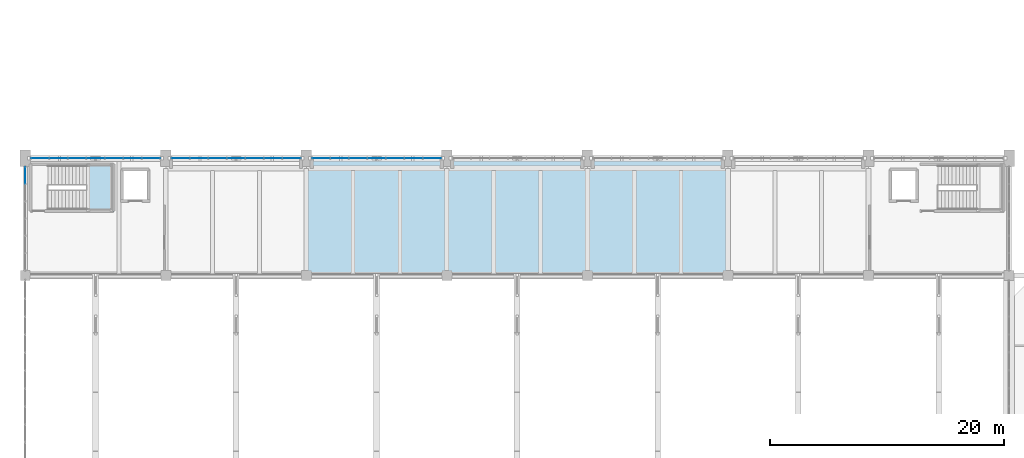
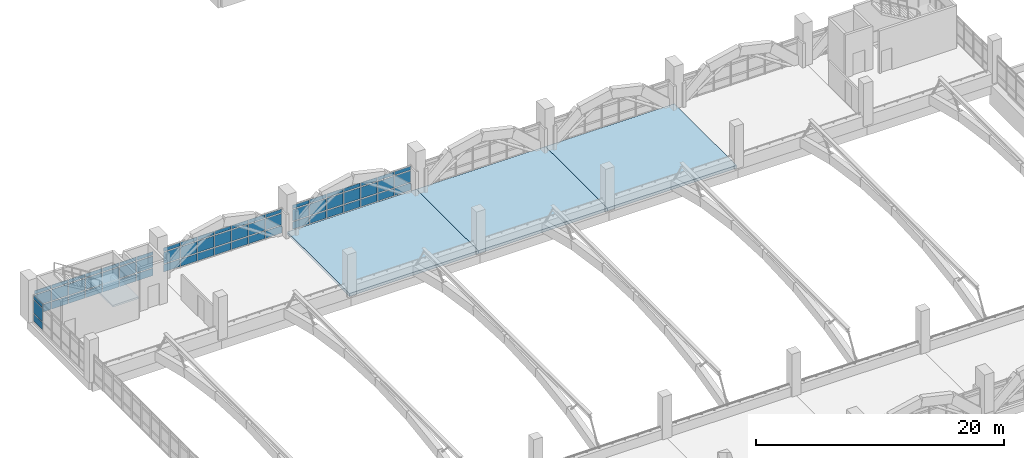
# One storey, part 124 of 161: 66 plates, 4 slabs, 5 elements without a shape of their own.
"""IFC4 building model written with IfcOpenShell, lengths in metres."""

from ifc_helpers import new_model, si_unit, direction, frame, origin, origin_2d, place, context, subcontext, project, spatial, polyline, rectangle, outline, extrude, material, layer, layer_set, type_object, element, aggregate, save


model = new_model("IFC4")

# Units and contexts
model_context = context("Model", 3, precision=1e-05, world=origin(), true_north=direction((0.0, 1.0)))
body_context = subcontext(model_context, "Body", "Model", "MODEL_VIEW")
ifc_project = project(units=[si_unit("LENGTHUNIT", "METRE"), si_unit("AREAUNIT", "SQUARE_METRE"), si_unit("VOLUMEUNIT", "CUBIC_METRE"), si_unit("PLANEANGLEUNIT", "RADIAN"), si_unit("MASSUNIT", "GRAM", prefix="KILO")], contexts=[model_context])

# Site, building, storey
site_placement = place(None, origin())
site = spatial("IfcSite", under=ifc_project, at=site_placement, CompositionType="ELEMENT")
building_placement = place(site_placement, origin())
building = spatial("IfcBuilding", under=site, at=building_placement, Name="Mersad Railyard Sports Hall", CompositionType="ELEMENT")
storey_placement = place(building_placement, frame((0.0, 0.0, 4.800048828125)))
storey = spatial("IfcBuildingStorey", under=building, at=storey_placement, Name="L01", CompositionType="ELEMENT", Elevation=4.800048828125)

# Curtain wall, plates
ifc_material_1 = material(Name="Aluminium 6063-T6", Category="aluminium")
ifc_layer_1 = layer(ifc_material_1, 0.199951171875)
ifc_layer_set_1 = layer_set([ifc_layer_1], Name="Aluminium 6063-T6")
curtain_wall_type_1 = type_object("IfcCurtainWallType", Name="ARC-CW-CW02", PredefinedType="USERDEFINED", material=ifc_layer_set_1)
curtain_wall_1_placement = place(storey_placement, origin())
curtain_wall_1 = element("IfcCurtainWall", 1, at=curtain_wall_1_placement, inside=storey, type_object=curtain_wall_type_1, Name="Curtain wall CW02-0004", ObjectType="CURTAIN WALL", PredefinedType="USERDEFINED")
ifc_material_2 = material(Name="Solar-control glass", Category="glass")
ifc_layer_2 = layer(ifc_material_2, 0.028076171875)
ifc_layer_set_2 = layer_set([ifc_layer_2], Name="Solar-control glass")
plate_type = type_object("IfcPlateType", Name="ARC-CW-PNL01", PredefinedType="CURTAIN_PANEL", material=ifc_layer_set_2)
plate_1_placement = place(storey_placement, frame((8.260009765625, 53.5, 0.0849609375), z_axis=(0.0, 0.0, 1.0), x_axis=(1.0, 0.0, 0.0)))
plate_1 = element("IfcPlate", 2, at=plate_1_placement, type_object=plate_type, Name="CW02 Glazed panel 1-1", PredefinedType="CURTAIN_PANEL", context=body_context, shape_type="SweptSolid", body=[
    extrude(rectangle(XDim=1.535888671875, YDim=0.028076171875, at=origin_2d()), origin(), (0.0, 0.0, 1.0), 0.719970703125),
])
plate_2_placement = place(storey_placement, frame((8.260009765625, 53.5, 0.89501953125), z_axis=(0.0, 0.0, 1.0), x_axis=(1.0, 0.0, 0.0)))
plate_2 = element("IfcPlate", 3, at=plate_2_placement, type_object=plate_type, Name="CW02 Glazed panel 1-2", PredefinedType="CURTAIN_PANEL", context=body_context, shape_type="SweptSolid", body=[
    extrude(rectangle(XDim=1.535888671875, YDim=0.028076171875, at=origin_2d()), origin(), (0.0, 0.0, 1.0), 1.110107421875),
])
plate_3_placement = place(storey_placement, frame((8.260009765625, 53.5, 2.094970703125), z_axis=(0.0, 0.0, 1.0), x_axis=(1.0, 0.0, 0.0)))
plate_3 = element("IfcPlate", 4, at=plate_3_placement, type_object=plate_type, Name="CW02 Glazed panel 1-3", PredefinedType="CURTAIN_PANEL", context=body_context, shape_type="SweptSolid", body=[
    extrude(rectangle(XDim=1.535888671875, YDim=0.028076171875, at=origin_2d()), origin(), (0.0, 0.0, 1.0), 0.35009765625),
])
plate_4_placement = place(storey_placement, frame((9.840087890625, 53.5, 0.0849609375), z_axis=(0.0, 0.0, 1.0), x_axis=(1.0, 0.0, 0.0)))
plate_4 = element("IfcPlate", 5, at=plate_4_placement, type_object=plate_type, Name="CW02 Glazed panel 2-1", PredefinedType="CURTAIN_PANEL", context=body_context, shape_type="SweptSolid", body=[
    extrude(rectangle(XDim=1.535888671875, YDim=0.028076171875, at=origin_2d()), origin(), (0.0, 0.0, 1.0), 0.719970703125),
])
plate_5_placement = place(storey_placement, frame((9.840087890625, 53.5, 0.89501953125), z_axis=(0.0, 0.0, 1.0), x_axis=(1.0, 0.0, 0.0)))
plate_5 = element("IfcPlate", 6, at=plate_5_placement, type_object=plate_type, Name="CW02 Glazed panel 2-2", PredefinedType="CURTAIN_PANEL", context=body_context, shape_type="SweptSolid", body=[
    extrude(rectangle(XDim=1.535888671875, YDim=0.028076171875, at=origin_2d()), origin(), (0.0, 0.0, 1.0), 1.110107421875),
])
plate_6_placement = place(storey_placement, frame((9.840087890625, 53.5, 2.094970703125), z_axis=(0.0, 0.0, 1.0), x_axis=(1.0, 0.0, 0.0)))
plate_6 = element("IfcPlate", 7, at=plate_6_placement, type_object=plate_type, Name="CW02 Glazed panel 2-3", PredefinedType="CURTAIN_PANEL", context=body_context, shape_type="SweptSolid", body=[
    extrude(rectangle(XDim=1.535888671875, YDim=0.028076171875, at=origin_2d()), origin(), (0.0, 0.0, 1.0), 0.35009765625),
])
plate_7_placement = place(storey_placement, frame((11.419921875, 53.5, 0.0849609375), z_axis=(0.0, 0.0, 1.0), x_axis=(1.0, 0.0, 0.0)))
plate_7 = element("IfcPlate", 8, at=plate_7_placement, type_object=plate_type, Name="CW02 Glazed panel 3-1", PredefinedType="CURTAIN_PANEL", context=body_context, shape_type="SweptSolid", body=[
    extrude(rectangle(XDim=1.535888671875, YDim=0.028076171875, at=origin_2d()), origin(), (0.0, 0.0, 1.0), 0.719970703125),
])
plate_8_placement = place(storey_placement, frame((11.419921875, 53.5, 0.89501953125), z_axis=(0.0, 0.0, 1.0), x_axis=(1.0, 0.0, 0.0)))
plate_8 = element("IfcPlate", 9, at=plate_8_placement, type_object=plate_type, Name="CW02 Glazed panel 3-2", PredefinedType="CURTAIN_PANEL", context=body_context, shape_type="SweptSolid", body=[
    extrude(rectangle(XDim=1.535888671875, YDim=0.028076171875, at=origin_2d()), origin(), (0.0, 0.0, 1.0), 1.110107421875),
])
plate_9_placement = place(storey_placement, frame((11.419921875, 53.5, 2.094970703125), z_axis=(0.0, 0.0, 1.0), x_axis=(1.0, 0.0, 0.0)))
plate_9 = element("IfcPlate", 10, at=plate_9_placement, type_object=plate_type, Name="CW02 Glazed panel 3-3", PredefinedType="CURTAIN_PANEL", context=body_context, shape_type="SweptSolid", body=[
    extrude(rectangle(XDim=1.535888671875, YDim=0.028076171875, at=origin_2d()), origin(), (0.0, 0.0, 1.0), 0.35009765625),
])
plate_10_placement = place(storey_placement, frame((13.0, 53.5, 0.0849609375), z_axis=(0.0, 0.0, 1.0), x_axis=(1.0, 0.0, 0.0)))
plate_10 = element("IfcPlate", 11, at=plate_10_placement, type_object=plate_type, Name="CW02 Glazed panel 4-1", PredefinedType="CURTAIN_PANEL", context=body_context, shape_type="SweptSolid", body=[
    extrude(rectangle(XDim=1.535888671875, YDim=0.028076171875, at=origin_2d()), origin(), (0.0, 0.0, 1.0), 0.719970703125),
])
plate_11_placement = place(storey_placement, frame((13.0, 53.5, 0.89501953125), z_axis=(0.0, 0.0, 1.0), x_axis=(1.0, 0.0, 0.0)))
plate_11 = element("IfcPlate", 12, at=plate_11_placement, type_object=plate_type, Name="CW02 Glazed panel 4-2", PredefinedType="CURTAIN_PANEL", context=body_context, shape_type="SweptSolid", body=[
    extrude(rectangle(XDim=1.535888671875, YDim=0.028076171875, at=origin_2d()), origin(), (0.0, 0.0, 1.0), 1.110107421875),
])
plate_12_placement = place(storey_placement, frame((13.0, 53.5, 2.094970703125), z_axis=(0.0, 0.0, 1.0), x_axis=(1.0, 0.0, 0.0)))
plate_12 = element("IfcPlate", 13, at=plate_12_placement, type_object=plate_type, Name="CW02 Glazed panel 4-3", PredefinedType="CURTAIN_PANEL", context=body_context, shape_type="SweptSolid", body=[
    extrude(rectangle(XDim=1.535888671875, YDim=0.028076171875, at=origin_2d()), origin(), (0.0, 0.0, 1.0), 0.35009765625),
])
plate_13_placement = place(storey_placement, frame((14.580078125, 53.5, 0.0849609375), z_axis=(0.0, 0.0, 1.0), x_axis=(1.0, 0.0, 0.0)))
plate_13 = element("IfcPlate", 14, at=plate_13_placement, type_object=plate_type, Name="CW02 Glazed panel 5-1", PredefinedType="CURTAIN_PANEL", context=body_context, shape_type="SweptSolid", body=[
    extrude(rectangle(XDim=1.535888671875, YDim=0.028076171875, at=origin_2d()), origin(), (0.0, 0.0, 1.0), 0.719970703125),
])
plate_14_placement = place(storey_placement, frame((14.580078125, 53.5, 0.89501953125), z_axis=(0.0, 0.0, 1.0), x_axis=(1.0, 0.0, 0.0)))
plate_14 = element("IfcPlate", 15, at=plate_14_placement, type_object=plate_type, Name="CW02 Glazed panel 5-2", PredefinedType="CURTAIN_PANEL", context=body_context, shape_type="SweptSolid", body=[
    extrude(rectangle(XDim=1.535888671875, YDim=0.028076171875, at=origin_2d()), origin(), (0.0, 0.0, 1.0), 1.110107421875),
])
plate_15_placement = place(storey_placement, frame((14.580078125, 53.5, 2.094970703125), z_axis=(0.0, 0.0, 1.0), x_axis=(1.0, 0.0, 0.0)))
plate_15 = element("IfcPlate", 16, at=plate_15_placement, type_object=plate_type, Name="CW02 Glazed panel 5-3", PredefinedType="CURTAIN_PANEL", context=body_context, shape_type="SweptSolid", body=[
    extrude(rectangle(XDim=1.535888671875, YDim=0.028076171875, at=origin_2d()), origin(), (0.0, 0.0, 1.0), 0.35009765625),
])
plate_16_placement = place(storey_placement, frame((16.159912109375, 53.5, 0.0849609375), z_axis=(0.0, 0.0, 1.0), x_axis=(1.0, 0.0, 0.0)))
plate_16 = element("IfcPlate", 17, at=plate_16_placement, type_object=plate_type, Name="CW02 Glazed panel 6-1", PredefinedType="CURTAIN_PANEL", context=body_context, shape_type="SweptSolid", body=[
    extrude(rectangle(XDim=1.535888671875, YDim=0.028076171875, at=origin_2d()), origin(), (0.0, 0.0, 1.0), 0.719970703125),
])
plate_17_placement = place(storey_placement, frame((16.159912109375, 53.5, 0.89501953125), z_axis=(0.0, 0.0, 1.0), x_axis=(1.0, 0.0, 0.0)))
plate_17 = element("IfcPlate", 18, at=plate_17_placement, type_object=plate_type, Name="CW02 Glazed panel 6-2", PredefinedType="CURTAIN_PANEL", context=body_context, shape_type="SweptSolid", body=[
    extrude(rectangle(XDim=1.535888671875, YDim=0.028076171875, at=origin_2d()), origin(), (0.0, 0.0, 1.0), 1.110107421875),
])
plate_18_placement = place(storey_placement, frame((16.159912109375, 53.5, 2.094970703125), z_axis=(0.0, 0.0, 1.0), x_axis=(1.0, 0.0, 0.0)))
plate_18 = element("IfcPlate", 19, at=plate_18_placement, type_object=plate_type, Name="CW02 Glazed panel 6-3", PredefinedType="CURTAIN_PANEL", context=body_context, shape_type="SweptSolid", body=[
    extrude(rectangle(XDim=1.535888671875, YDim=0.028076171875, at=origin_2d()), origin(), (0.0, 0.0, 1.0), 0.35009765625),
])
plate_19_placement = place(storey_placement, frame((17.739990234375, 53.5, 0.0849609375), z_axis=(0.0, 0.0, 1.0), x_axis=(1.0, 0.0, 0.0)))
plate_19 = element("IfcPlate", 20, at=plate_19_placement, type_object=plate_type, Name="CW02 Glazed panel 7-1", PredefinedType="CURTAIN_PANEL", context=body_context, shape_type="SweptSolid", body=[
    extrude(rectangle(XDim=1.535888671875, YDim=0.028076171875, at=origin_2d()), origin(), (0.0, 0.0, 1.0), 0.719970703125),
])
plate_20_placement = place(storey_placement, frame((17.739990234375, 53.5, 0.89501953125), z_axis=(0.0, 0.0, 1.0), x_axis=(1.0, 0.0, 0.0)))
plate_20 = element("IfcPlate", 21, at=plate_20_placement, type_object=plate_type, Name="CW02 Glazed panel 7-2", PredefinedType="CURTAIN_PANEL", context=body_context, shape_type="SweptSolid", body=[
    extrude(rectangle(XDim=1.535888671875, YDim=0.028076171875, at=origin_2d()), origin(), (0.0, 0.0, 1.0), 1.110107421875),
])
plate_21_placement = place(storey_placement, frame((17.739990234375, 53.5, 2.094970703125), z_axis=(0.0, 0.0, 1.0), x_axis=(1.0, 0.0, 0.0)))
plate_21 = element("IfcPlate", 22, at=plate_21_placement, type_object=plate_type, Name="CW02 Glazed panel 7-3", PredefinedType="CURTAIN_PANEL", context=body_context, shape_type="SweptSolid", body=[
    extrude(rectangle(XDim=1.535888671875, YDim=0.028076171875, at=origin_2d()), origin(), (0.0, 0.0, 1.0), 0.35009765625),
])
aggregate(curtain_wall_1, [plate_1, plate_2, plate_3, plate_4, plate_5, plate_6, plate_7, plate_8, plate_9, plate_10, plate_11, plate_12, plate_13, plate_14, plate_15, plate_16, plate_17, plate_18, plate_19, plate_20, plate_21])

curtain_wall_2_placement = place(storey_placement, origin())
curtain_wall_2 = element("IfcCurtainWall", 23, at=curtain_wall_2_placement, inside=storey, type_object=curtain_wall_type_1, Name="Curtain wall CW02-0006", ObjectType="CURTAIN WALL", PredefinedType="USERDEFINED")
plate_22_placement = place(storey_placement, frame((20.260009765625, 53.5, 0.0849609375), z_axis=(0.0, 0.0, 1.0), x_axis=(1.0, 0.0, 0.0)))
plate_22 = element("IfcPlate", 24, at=plate_22_placement, type_object=plate_type, Name="CW02 Glazed panel 1-1", PredefinedType="CURTAIN_PANEL", context=body_context, shape_type="SweptSolid", body=[
    extrude(rectangle(XDim=1.535888671875, YDim=0.028076171875, at=origin_2d()), origin(), (0.0, 0.0, 1.0), 0.719970703125),
])
plate_23_placement = place(storey_placement, frame((20.260009765625, 53.5, 0.89501953125), z_axis=(0.0, 0.0, 1.0), x_axis=(1.0, 0.0, 0.0)))
plate_23 = element("IfcPlate", 25, at=plate_23_placement, type_object=plate_type, Name="CW02 Glazed panel 1-2", PredefinedType="CURTAIN_PANEL", context=body_context, shape_type="SweptSolid", body=[
    extrude(rectangle(XDim=1.535888671875, YDim=0.028076171875, at=origin_2d()), origin(), (0.0, 0.0, 1.0), 1.110107421875),
])
plate_24_placement = place(storey_placement, frame((20.260009765625, 53.5, 2.094970703125), z_axis=(0.0, 0.0, 1.0), x_axis=(1.0, 0.0, 0.0)))
plate_24 = element("IfcPlate", 26, at=plate_24_placement, type_object=plate_type, Name="CW02 Glazed panel 1-3", PredefinedType="CURTAIN_PANEL", context=body_context, shape_type="SweptSolid", body=[
    extrude(rectangle(XDim=1.535888671875, YDim=0.028076171875, at=origin_2d()), origin(), (0.0, 0.0, 1.0), 0.35009765625),
])
plate_25_placement = place(storey_placement, frame((21.840087890625, 53.5, 0.0849609375), z_axis=(0.0, 0.0, 1.0), x_axis=(1.0, 0.0, 0.0)))
plate_25 = element("IfcPlate", 27, at=plate_25_placement, type_object=plate_type, Name="CW02 Glazed panel 2-1", PredefinedType="CURTAIN_PANEL", context=body_context, shape_type="SweptSolid", body=[
    extrude(rectangle(XDim=1.535888671875, YDim=0.028076171875, at=origin_2d()), origin(), (0.0, 0.0, 1.0), 0.719970703125),
])
plate_26_placement = place(storey_placement, frame((21.840087890625, 53.5, 0.89501953125), z_axis=(0.0, 0.0, 1.0), x_axis=(1.0, 0.0, 0.0)))
plate_26 = element("IfcPlate", 28, at=plate_26_placement, type_object=plate_type, Name="CW02 Glazed panel 2-2", PredefinedType="CURTAIN_PANEL", context=body_context, shape_type="SweptSolid", body=[
    extrude(rectangle(XDim=1.535888671875, YDim=0.028076171875, at=origin_2d()), origin(), (0.0, 0.0, 1.0), 1.110107421875),
])
plate_27_placement = place(storey_placement, frame((21.840087890625, 53.5, 2.094970703125), z_axis=(0.0, 0.0, 1.0), x_axis=(1.0, 0.0, 0.0)))
plate_27 = element("IfcPlate", 29, at=plate_27_placement, type_object=plate_type, Name="CW02 Glazed panel 2-3", PredefinedType="CURTAIN_PANEL", context=body_context, shape_type="SweptSolid", body=[
    extrude(rectangle(XDim=1.535888671875, YDim=0.028076171875, at=origin_2d()), origin(), (0.0, 0.0, 1.0), 0.35009765625),
])
plate_28_placement = place(storey_placement, frame((23.419921875, 53.5, 0.0849609375), z_axis=(0.0, 0.0, 1.0), x_axis=(1.0, 0.0, 0.0)))
plate_28 = element("IfcPlate", 30, at=plate_28_placement, type_object=plate_type, Name="CW02 Glazed panel 3-1", PredefinedType="CURTAIN_PANEL", context=body_context, shape_type="SweptSolid", body=[
    extrude(rectangle(XDim=1.535888671875, YDim=0.028076171875, at=origin_2d()), origin(), (0.0, 0.0, 1.0), 0.719970703125),
])
plate_29_placement = place(storey_placement, frame((23.419921875, 53.5, 0.89501953125), z_axis=(0.0, 0.0, 1.0), x_axis=(1.0, 0.0, 0.0)))
plate_29 = element("IfcPlate", 31, at=plate_29_placement, type_object=plate_type, Name="CW02 Glazed panel 3-2", PredefinedType="CURTAIN_PANEL", context=body_context, shape_type="SweptSolid", body=[
    extrude(rectangle(XDim=1.535888671875, YDim=0.028076171875, at=origin_2d()), origin(), (0.0, 0.0, 1.0), 1.110107421875),
])
plate_30_placement = place(storey_placement, frame((23.419921875, 53.5, 2.094970703125), z_axis=(0.0, 0.0, 1.0), x_axis=(1.0, 0.0, 0.0)))
plate_30 = element("IfcPlate", 32, at=plate_30_placement, type_object=plate_type, Name="CW02 Glazed panel 3-3", PredefinedType="CURTAIN_PANEL", context=body_context, shape_type="SweptSolid", body=[
    extrude(rectangle(XDim=1.535888671875, YDim=0.028076171875, at=origin_2d()), origin(), (0.0, 0.0, 1.0), 0.35009765625),
])
plate_31_placement = place(storey_placement, frame((25.0, 53.5, 0.0849609375), z_axis=(0.0, 0.0, 1.0), x_axis=(1.0, 0.0, 0.0)))
plate_31 = element("IfcPlate", 33, at=plate_31_placement, type_object=plate_type, Name="CW02 Glazed panel 4-1", PredefinedType="CURTAIN_PANEL", context=body_context, shape_type="SweptSolid", body=[
    extrude(rectangle(XDim=1.535888671875, YDim=0.028076171875, at=origin_2d()), origin(), (0.0, 0.0, 1.0), 0.719970703125),
])
plate_32_placement = place(storey_placement, frame((25.0, 53.5, 0.89501953125), z_axis=(0.0, 0.0, 1.0), x_axis=(1.0, 0.0, 0.0)))
plate_32 = element("IfcPlate", 34, at=plate_32_placement, type_object=plate_type, Name="CW02 Glazed panel 4-2", PredefinedType="CURTAIN_PANEL", context=body_context, shape_type="SweptSolid", body=[
    extrude(rectangle(XDim=1.535888671875, YDim=0.028076171875, at=origin_2d()), origin(), (0.0, 0.0, 1.0), 1.110107421875),
])
plate_33_placement = place(storey_placement, frame((25.0, 53.5, 2.094970703125), z_axis=(0.0, 0.0, 1.0), x_axis=(1.0, 0.0, 0.0)))
plate_33 = element("IfcPlate", 35, at=plate_33_placement, type_object=plate_type, Name="CW02 Glazed panel 4-3", PredefinedType="CURTAIN_PANEL", context=body_context, shape_type="SweptSolid", body=[
    extrude(rectangle(XDim=1.535888671875, YDim=0.028076171875, at=origin_2d()), origin(), (0.0, 0.0, 1.0), 0.35009765625),
])
plate_34_placement = place(storey_placement, frame((26.580078125, 53.5, 0.0849609375), z_axis=(0.0, 0.0, 1.0), x_axis=(1.0, 0.0, 0.0)))
plate_34 = element("IfcPlate", 36, at=plate_34_placement, type_object=plate_type, Name="CW02 Glazed panel 5-1", PredefinedType="CURTAIN_PANEL", context=body_context, shape_type="SweptSolid", body=[
    extrude(rectangle(XDim=1.535888671875, YDim=0.028076171875, at=origin_2d()), origin(), (0.0, 0.0, 1.0), 0.719970703125),
])
plate_35_placement = place(storey_placement, frame((26.580078125, 53.5, 0.89501953125), z_axis=(0.0, 0.0, 1.0), x_axis=(1.0, 0.0, 0.0)))
plate_35 = element("IfcPlate", 37, at=plate_35_placement, type_object=plate_type, Name="CW02 Glazed panel 5-2", PredefinedType="CURTAIN_PANEL", context=body_context, shape_type="SweptSolid", body=[
    extrude(rectangle(XDim=1.535888671875, YDim=0.028076171875, at=origin_2d()), origin(), (0.0, 0.0, 1.0), 1.110107421875),
])
plate_36_placement = place(storey_placement, frame((26.580078125, 53.5, 2.094970703125), z_axis=(0.0, 0.0, 1.0), x_axis=(1.0, 0.0, 0.0)))
plate_36 = element("IfcPlate", 38, at=plate_36_placement, type_object=plate_type, Name="CW02 Glazed panel 5-3", PredefinedType="CURTAIN_PANEL", context=body_context, shape_type="SweptSolid", body=[
    extrude(rectangle(XDim=1.535888671875, YDim=0.028076171875, at=origin_2d()), origin(), (0.0, 0.0, 1.0), 0.35009765625),
])
plate_37_placement = place(storey_placement, frame((28.159912109375, 53.5, 0.0849609375), z_axis=(0.0, 0.0, 1.0), x_axis=(1.0, 0.0, 0.0)))
plate_37 = element("IfcPlate", 39, at=plate_37_placement, type_object=plate_type, Name="CW02 Glazed panel 6-1", PredefinedType="CURTAIN_PANEL", context=body_context, shape_type="SweptSolid", body=[
    extrude(rectangle(XDim=1.535888671875, YDim=0.028076171875, at=origin_2d()), origin(), (0.0, 0.0, 1.0), 0.719970703125),
])
plate_38_placement = place(storey_placement, frame((28.159912109375, 53.5, 0.89501953125), z_axis=(0.0, 0.0, 1.0), x_axis=(1.0, 0.0, 0.0)))
plate_38 = element("IfcPlate", 40, at=plate_38_placement, type_object=plate_type, Name="CW02 Glazed panel 6-2", PredefinedType="CURTAIN_PANEL", context=body_context, shape_type="SweptSolid", body=[
    extrude(rectangle(XDim=1.535888671875, YDim=0.028076171875, at=origin_2d()), origin(), (0.0, 0.0, 1.0), 1.110107421875),
])
plate_39_placement = place(storey_placement, frame((28.159912109375, 53.5, 2.094970703125), z_axis=(0.0, 0.0, 1.0), x_axis=(1.0, 0.0, 0.0)))
plate_39 = element("IfcPlate", 41, at=plate_39_placement, type_object=plate_type, Name="CW02 Glazed panel 6-3", PredefinedType="CURTAIN_PANEL", context=body_context, shape_type="SweptSolid", body=[
    extrude(rectangle(XDim=1.535888671875, YDim=0.028076171875, at=origin_2d()), origin(), (0.0, 0.0, 1.0), 0.35009765625),
])
plate_40_placement = place(storey_placement, frame((29.739990234375, 53.5, 0.0849609375), z_axis=(0.0, 0.0, 1.0), x_axis=(1.0, 0.0, 0.0)))
plate_40 = element("IfcPlate", 42, at=plate_40_placement, type_object=plate_type, Name="CW02 Glazed panel 7-1", PredefinedType="CURTAIN_PANEL", context=body_context, shape_type="SweptSolid", body=[
    extrude(rectangle(XDim=1.535888671875, YDim=0.028076171875, at=origin_2d()), origin(), (0.0, 0.0, 1.0), 0.719970703125),
])
plate_41_placement = place(storey_placement, frame((29.739990234375, 53.5, 0.89501953125), z_axis=(0.0, 0.0, 1.0), x_axis=(1.0, 0.0, 0.0)))
plate_41 = element("IfcPlate", 43, at=plate_41_placement, type_object=plate_type, Name="CW02 Glazed panel 7-2", PredefinedType="CURTAIN_PANEL", context=body_context, shape_type="SweptSolid", body=[
    extrude(rectangle(XDim=1.535888671875, YDim=0.028076171875, at=origin_2d()), origin(), (0.0, 0.0, 1.0), 1.110107421875),
])
plate_42_placement = place(storey_placement, frame((29.739990234375, 53.5, 2.094970703125), z_axis=(0.0, 0.0, 1.0), x_axis=(1.0, 0.0, 0.0)))
plate_42 = element("IfcPlate", 44, at=plate_42_placement, type_object=plate_type, Name="CW02 Glazed panel 7-3", PredefinedType="CURTAIN_PANEL", context=body_context, shape_type="SweptSolid", body=[
    extrude(rectangle(XDim=1.535888671875, YDim=0.028076171875, at=origin_2d()), origin(), (0.0, 0.0, 1.0), 0.35009765625),
])
aggregate(curtain_wall_2, [plate_22, plate_23, plate_24, plate_25, plate_26, plate_27, plate_28, plate_29, plate_30, plate_31, plate_32, plate_33, plate_34, plate_35, plate_36, plate_37, plate_38, plate_39, plate_40, plate_41, plate_42])

curtain_wall_3_placement = place(storey_placement, origin())
curtain_wall_3 = element("IfcCurtainWall", 45, at=curtain_wall_3_placement, inside=storey, type_object=curtain_wall_type_1, Name="Curtain wall CW02-0010", ObjectType="CURTAIN WALL", PredefinedType="USERDEFINED")
plate_43_placement = place(storey_placement, frame((32.260009765625, 53.5, 0.0849609375), z_axis=(0.0, 0.0, 1.0), x_axis=(1.0, 0.0, 0.0)))
plate_43 = element("IfcPlate", 46, at=plate_43_placement, type_object=plate_type, Name="CW02 Glazed panel 1-1", PredefinedType="CURTAIN_PANEL", context=body_context, shape_type="SweptSolid", body=[
    extrude(rectangle(XDim=1.535888671875, YDim=0.028076171875, at=origin_2d()), origin(), (0.0, 0.0, 1.0), 0.719970703125),
])
plate_44_placement = place(storey_placement, frame((32.260009765625, 53.5, 0.89501953125), z_axis=(0.0, 0.0, 1.0), x_axis=(1.0, 0.0, 0.0)))
plate_44 = element("IfcPlate", 47, at=plate_44_placement, type_object=plate_type, Name="CW02 Glazed panel 1-2", PredefinedType="CURTAIN_PANEL", context=body_context, shape_type="SweptSolid", body=[
    extrude(rectangle(XDim=1.535888671875, YDim=0.028076171875, at=origin_2d()), origin(), (0.0, 0.0, 1.0), 1.110107421875),
])
plate_45_placement = place(storey_placement, frame((32.260009765625, 53.5, 2.094970703125), z_axis=(0.0, 0.0, 1.0), x_axis=(1.0, 0.0, 0.0)))
plate_45 = element("IfcPlate", 48, at=plate_45_placement, type_object=plate_type, Name="CW02 Glazed panel 1-3", PredefinedType="CURTAIN_PANEL", context=body_context, shape_type="SweptSolid", body=[
    extrude(rectangle(XDim=1.535888671875, YDim=0.028076171875, at=origin_2d()), origin(), (0.0, 0.0, 1.0), 0.35009765625),
])
plate_46_placement = place(storey_placement, frame((33.840087890625, 53.5, 0.0849609375), z_axis=(0.0, 0.0, 1.0), x_axis=(1.0, 0.0, 0.0)))
plate_46 = element("IfcPlate", 49, at=plate_46_placement, type_object=plate_type, Name="CW02 Glazed panel 2-1", PredefinedType="CURTAIN_PANEL", context=body_context, shape_type="SweptSolid", body=[
    extrude(rectangle(XDim=1.535888671875, YDim=0.028076171875, at=origin_2d()), origin(), (0.0, 0.0, 1.0), 0.719970703125),
])
plate_47_placement = place(storey_placement, frame((33.840087890625, 53.5, 0.89501953125), z_axis=(0.0, 0.0, 1.0), x_axis=(1.0, 0.0, 0.0)))
plate_47 = element("IfcPlate", 50, at=plate_47_placement, type_object=plate_type, Name="CW02 Glazed panel 2-2", PredefinedType="CURTAIN_PANEL", context=body_context, shape_type="SweptSolid", body=[
    extrude(rectangle(XDim=1.535888671875, YDim=0.028076171875, at=origin_2d()), origin(), (0.0, 0.0, 1.0), 1.110107421875),
])
plate_48_placement = place(storey_placement, frame((33.840087890625, 53.5, 2.094970703125), z_axis=(0.0, 0.0, 1.0), x_axis=(1.0, 0.0, 0.0)))
plate_48 = element("IfcPlate", 51, at=plate_48_placement, type_object=plate_type, Name="CW02 Glazed panel 2-3", PredefinedType="CURTAIN_PANEL", context=body_context, shape_type="SweptSolid", body=[
    extrude(rectangle(XDim=1.535888671875, YDim=0.028076171875, at=origin_2d()), origin(), (0.0, 0.0, 1.0), 0.35009765625),
])
plate_49_placement = place(storey_placement, frame((35.419921875, 53.5, 0.0849609375), z_axis=(0.0, 0.0, 1.0), x_axis=(1.0, 0.0, 0.0)))
plate_49 = element("IfcPlate", 52, at=plate_49_placement, type_object=plate_type, Name="CW02 Glazed panel 3-1", PredefinedType="CURTAIN_PANEL", context=body_context, shape_type="SweptSolid", body=[
    extrude(rectangle(XDim=1.535888671875, YDim=0.028076171875, at=origin_2d()), origin(), (0.0, 0.0, 1.0), 0.719970703125),
])
plate_50_placement = place(storey_placement, frame((35.419921875, 53.5, 0.89501953125), z_axis=(0.0, 0.0, 1.0), x_axis=(1.0, 0.0, 0.0)))
plate_50 = element("IfcPlate", 53, at=plate_50_placement, type_object=plate_type, Name="CW02 Glazed panel 3-2", PredefinedType="CURTAIN_PANEL", context=body_context, shape_type="SweptSolid", body=[
    extrude(rectangle(XDim=1.535888671875, YDim=0.028076171875, at=origin_2d()), origin(), (0.0, 0.0, 1.0), 1.110107421875),
])
plate_51_placement = place(storey_placement, frame((35.419921875, 53.5, 2.094970703125), z_axis=(0.0, 0.0, 1.0), x_axis=(1.0, 0.0, 0.0)))
plate_51 = element("IfcPlate", 54, at=plate_51_placement, type_object=plate_type, Name="CW02 Glazed panel 3-3", PredefinedType="CURTAIN_PANEL", context=body_context, shape_type="SweptSolid", body=[
    extrude(rectangle(XDim=1.535888671875, YDim=0.028076171875, at=origin_2d()), origin(), (0.0, 0.0, 1.0), 0.35009765625),
])
plate_52_placement = place(storey_placement, frame((37.0, 53.5, 0.0849609375), z_axis=(0.0, 0.0, 1.0), x_axis=(1.0, 0.0, 0.0)))
plate_52 = element("IfcPlate", 55, at=plate_52_placement, type_object=plate_type, Name="CW02 Glazed panel 4-1", PredefinedType="CURTAIN_PANEL", context=body_context, shape_type="SweptSolid", body=[
    extrude(rectangle(XDim=1.535888671875, YDim=0.028076171875, at=origin_2d()), origin(), (0.0, 0.0, 1.0), 0.719970703125),
])
plate_53_placement = place(storey_placement, frame((37.0, 53.5, 0.89501953125), z_axis=(0.0, 0.0, 1.0), x_axis=(1.0, 0.0, 0.0)))
plate_53 = element("IfcPlate", 56, at=plate_53_placement, type_object=plate_type, Name="CW02 Glazed panel 4-2", PredefinedType="CURTAIN_PANEL", context=body_context, shape_type="SweptSolid", body=[
    extrude(rectangle(XDim=1.535888671875, YDim=0.028076171875, at=origin_2d()), origin(), (0.0, 0.0, 1.0), 1.110107421875),
])
plate_54_placement = place(storey_placement, frame((37.0, 53.5, 2.094970703125), z_axis=(0.0, 0.0, 1.0), x_axis=(1.0, 0.0, 0.0)))
plate_54 = element("IfcPlate", 57, at=plate_54_placement, type_object=plate_type, Name="CW02 Glazed panel 4-3", PredefinedType="CURTAIN_PANEL", context=body_context, shape_type="SweptSolid", body=[
    extrude(rectangle(XDim=1.535888671875, YDim=0.028076171875, at=origin_2d()), origin(), (0.0, 0.0, 1.0), 0.35009765625),
])
plate_55_placement = place(storey_placement, frame((38.580078125, 53.5, 0.0849609375), z_axis=(0.0, 0.0, 1.0), x_axis=(1.0, 0.0, 0.0)))
plate_55 = element("IfcPlate", 58, at=plate_55_placement, type_object=plate_type, Name="CW02 Glazed panel 5-1", PredefinedType="CURTAIN_PANEL", context=body_context, shape_type="SweptSolid", body=[
    extrude(rectangle(XDim=1.535888671875, YDim=0.028076171875, at=origin_2d()), origin(), (0.0, 0.0, 1.0), 0.719970703125),
])
plate_56_placement = place(storey_placement, frame((38.580078125, 53.5, 0.89501953125), z_axis=(0.0, 0.0, 1.0), x_axis=(1.0, 0.0, 0.0)))
plate_56 = element("IfcPlate", 59, at=plate_56_placement, type_object=plate_type, Name="CW02 Glazed panel 5-2", PredefinedType="CURTAIN_PANEL", context=body_context, shape_type="SweptSolid", body=[
    extrude(rectangle(XDim=1.535888671875, YDim=0.028076171875, at=origin_2d()), origin(), (0.0, 0.0, 1.0), 1.110107421875),
])
plate_57_placement = place(storey_placement, frame((38.580078125, 53.5, 2.094970703125), z_axis=(0.0, 0.0, 1.0), x_axis=(1.0, 0.0, 0.0)))
plate_57 = element("IfcPlate", 60, at=plate_57_placement, type_object=plate_type, Name="CW02 Glazed panel 5-3", PredefinedType="CURTAIN_PANEL", context=body_context, shape_type="SweptSolid", body=[
    extrude(rectangle(XDim=1.535888671875, YDim=0.028076171875, at=origin_2d()), origin(), (0.0, 0.0, 1.0), 0.35009765625),
])
plate_58_placement = place(storey_placement, frame((40.159912109375, 53.5, 0.0849609375), z_axis=(0.0, 0.0, 1.0), x_axis=(1.0, 0.0, 0.0)))
plate_58 = element("IfcPlate", 61, at=plate_58_placement, type_object=plate_type, Name="CW02 Glazed panel 6-1", PredefinedType="CURTAIN_PANEL", context=body_context, shape_type="SweptSolid", body=[
    extrude(rectangle(XDim=1.535888671875, YDim=0.028076171875, at=origin_2d()), origin(), (0.0, 0.0, 1.0), 0.719970703125),
])
plate_59_placement = place(storey_placement, frame((40.159912109375, 53.5, 0.89501953125), z_axis=(0.0, 0.0, 1.0), x_axis=(1.0, 0.0, 0.0)))
plate_59 = element("IfcPlate", 62, at=plate_59_placement, type_object=plate_type, Name="CW02 Glazed panel 6-2", PredefinedType="CURTAIN_PANEL", context=body_context, shape_type="SweptSolid", body=[
    extrude(rectangle(XDim=1.535888671875, YDim=0.028076171875, at=origin_2d()), origin(), (0.0, 0.0, 1.0), 1.110107421875),
])
plate_60_placement = place(storey_placement, frame((40.159912109375, 53.5, 2.094970703125), z_axis=(0.0, 0.0, 1.0), x_axis=(1.0, 0.0, 0.0)))
plate_60 = element("IfcPlate", 63, at=plate_60_placement, type_object=plate_type, Name="CW02 Glazed panel 6-3", PredefinedType="CURTAIN_PANEL", context=body_context, shape_type="SweptSolid", body=[
    extrude(rectangle(XDim=1.535888671875, YDim=0.028076171875, at=origin_2d()), origin(), (0.0, 0.0, 1.0), 0.35009765625),
])
plate_61_placement = place(storey_placement, frame((41.739990234375, 53.5, 0.0849609375), z_axis=(0.0, 0.0, 1.0), x_axis=(1.0, 0.0, 0.0)))
plate_61 = element("IfcPlate", 64, at=plate_61_placement, type_object=plate_type, Name="CW02 Glazed panel 7-1", PredefinedType="CURTAIN_PANEL", context=body_context, shape_type="SweptSolid", body=[
    extrude(rectangle(XDim=1.535888671875, YDim=0.028076171875, at=origin_2d()), origin(), (0.0, 0.0, 1.0), 0.719970703125),
])
plate_62_placement = place(storey_placement, frame((41.739990234375, 53.5, 0.89501953125), z_axis=(0.0, 0.0, 1.0), x_axis=(1.0, 0.0, 0.0)))
plate_62 = element("IfcPlate", 65, at=plate_62_placement, type_object=plate_type, Name="CW02 Glazed panel 7-2", PredefinedType="CURTAIN_PANEL", context=body_context, shape_type="SweptSolid", body=[
    extrude(rectangle(XDim=1.535888671875, YDim=0.028076171875, at=origin_2d()), origin(), (0.0, 0.0, 1.0), 1.110107421875),
])
plate_63_placement = place(storey_placement, frame((41.739990234375, 53.5, 2.094970703125), z_axis=(0.0, 0.0, 1.0), x_axis=(1.0, 0.0, 0.0)))
plate_63 = element("IfcPlate", 66, at=plate_63_placement, type_object=plate_type, Name="CW02 Glazed panel 7-3", PredefinedType="CURTAIN_PANEL", context=body_context, shape_type="SweptSolid", body=[
    extrude(rectangle(XDim=1.535888671875, YDim=0.028076171875, at=origin_2d()), origin(), (0.0, 0.0, 1.0), 0.35009765625),
])
aggregate(curtain_wall_3, [plate_43, plate_44, plate_45, plate_46, plate_47, plate_48, plate_49, plate_50, plate_51, plate_52, plate_53, plate_54, plate_55, plate_56, plate_57, plate_58, plate_59, plate_60, plate_61, plate_62, plate_63])

ifc_layer_3 = layer(ifc_material_1, 0.159912109375)
ifc_layer_set_3 = layer_set([ifc_layer_3], Name="Aluminium 6063-T6")
curtain_wall_type_2 = type_object("IfcCurtainWallType", Name="ARC-CW-CW03", PredefinedType="USERDEFINED", material=ifc_layer_set_3)
curtain_wall_4_placement = place(storey_placement, origin())
curtain_wall_4 = element("IfcCurtainWall", 67, at=curtain_wall_4_placement, inside=storey, type_object=curtain_wall_type_2, Name="Curtain wall CW03-0025", ObjectType="CURTAIN WALL", PredefinedType="USERDEFINED")
plate_64_placement = place(storey_placement, frame((7.0, 52.043701171875, 0.0849609375), z_axis=(0.0, 0.0, 1.0), x_axis=(0.0, 1.0, 0.0)))
plate_64 = element("IfcPlate", 68, at=plate_64_placement, type_object=plate_type, Name="CW03 Glazed panel 6-1", PredefinedType="CURTAIN_PANEL", context=body_context, shape_type="SweptSolid", body=[
    extrude(rectangle(XDim=1.428466796875, YDim=0.028076171875, at=origin_2d()), origin(), (0.0, 0.0, 1.0), 0.719970703125),
])
plate_65_placement = place(storey_placement, frame((7.0, 52.043701171875, 0.89501953125), z_axis=(0.0, 0.0, 1.0), x_axis=(0.0, 1.0, 0.0)))
plate_65 = element("IfcPlate", 69, at=plate_65_placement, type_object=plate_type, Name="CW03 Glazed panel 6-2", PredefinedType="CURTAIN_PANEL", context=body_context, shape_type="SweptSolid", body=[
    extrude(rectangle(XDim=1.428466796875, YDim=0.028076171875, at=origin_2d()), origin(), (0.0, 0.0, 1.0), 1.260009765625),
])
plate_66_placement = place(storey_placement, frame((7.0, 52.043701171875, 2.244873046875), z_axis=(0.0, 0.0, 1.0), x_axis=(0.0, 1.0, 0.0)))
plate_66 = element("IfcPlate", 70, at=plate_66_placement, type_object=plate_type, Name="CW03 Glazed panel 6-3", PredefinedType="CURTAIN_PANEL", context=body_context, shape_type="SweptSolid", body=[
    extrude(rectangle(XDim=1.428466796875, YDim=0.028076171875, at=origin_2d()), origin(), (0.0, 0.0, 1.0), 0.35009765625),
])
aggregate(curtain_wall_4, [plate_64, plate_65, plate_66])

# Slabs
ifc_material_3 = material(Name="Concrete C40/50", Category="concrete")
ifc_layer_4 = layer(ifc_material_3, 0.280029296875)
ifc_layer_set_4 = layer_set([ifc_layer_4], Name="Concrete C40/50")
slab_type_1 = type_object("IfcSlabType", Name="STR-SL-FL02", PredefinedType="FLOOR", material=ifc_layer_set_4)
slab_1_placement = place(storey_placement, frame((0.0, 0.0, -0.280029296875)))
element("IfcSlab", 71, at=slab_1_placement, inside=storey, type_object=slab_type_1, Name="Slab SL02-0042", PredefinedType="FLOOR", context=body_context, shape_type="SweptSolid", body=[
    extrude(outline(polyline([(31.0, 43.5), (43.0, 43.5), (43.0, 53.5), (31.0, 53.5), (31.0, 43.5)])), origin(), (0.0, 0.0, 1.0), 0.280029296875),
])
slab_2_placement = place(storey_placement, frame((0.0, 0.0, -0.280029296875)))
element("IfcSlab", 72, at=slab_2_placement, inside=storey, type_object=slab_type_1, Name="Slab SL02-0044", PredefinedType="FLOOR", context=body_context, shape_type="SweptSolid", body=[
    extrude(outline(polyline([(43.0, 43.5), (55.0, 43.5), (55.0, 53.5), (43.0, 53.5), (43.0, 43.5)])), origin(), (0.0, 0.0, 1.0), 0.280029296875),
])
slab_3_placement = place(storey_placement, frame((0.0, 0.0, -0.280029296875)))
element("IfcSlab", 73, at=slab_3_placement, inside=storey, type_object=slab_type_1, Name="Slab SL02-0046", PredefinedType="FLOOR", context=body_context, shape_type="SweptSolid", body=[
    extrude(outline(polyline([(55.0, 43.5), (67.0, 43.5), (67.0, 53.5), (55.0, 53.5), (55.0, 43.5)])), origin(), (0.0, 0.0, 1.0), 0.280029296875),
])

# Stair, slab
stair_type = type_object("IfcStairType", Name="ARC-ST-ST07B", PredefinedType="HALF_TURN_STAIR", material=ifc_material_3)
stair_placement = place(storey_placement, origin())
stair = element("IfcStair", 74, at=stair_placement, inside=storey, type_object=stair_type, Name="NW Pavilion Pitch Stair L01-L02", PredefinedType="HALF_TURN_STAIR")
ifc_material_4 = material(Name="Precast concrete C45/55", Category="concrete")
ifc_layer_5 = layer(ifc_material_4, 0.199951171875)
ifc_layer_set_5 = layer_set([ifc_layer_5], Name="Precast concrete C45/55")
slab_type_2 = type_object("IfcSlabType", Name="STR-SL-LD02", PredefinedType="LANDING", material=ifc_layer_set_5)
slab_4_placement = place(storey_placement, frame((0.0, 0.0, 1.919921875)))
slab_4 = element("IfcSlab", 75, at=slab_4_placement, type_object=slab_type_2, Name="NW Pavilion Pitch Stair L01-L02 Half Landing", PredefinedType="LANDING", context=body_context, shape_type="SweptSolid", body=[
    extrude(outline(polyline([(12.16796875, 48.97998046875), (14.570068359375, 48.97998046875), (14.570068359375, 53.02001953125), (12.16796875, 53.02001953125), (12.16796875, 48.97998046875)])), origin(), (0.0, 0.0, 1.0), 0.179931640625),
])
aggregate(stair, [slab_4])

save(model, "model.ifc")
